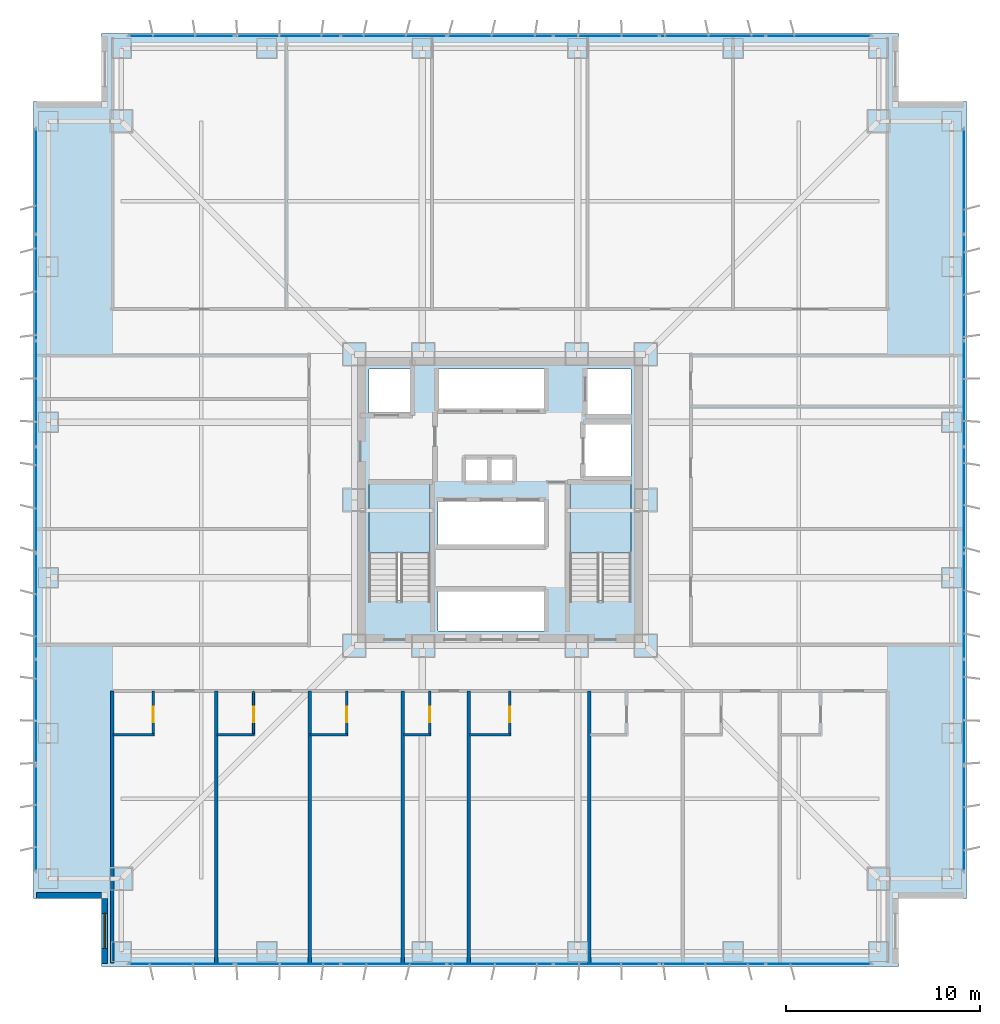
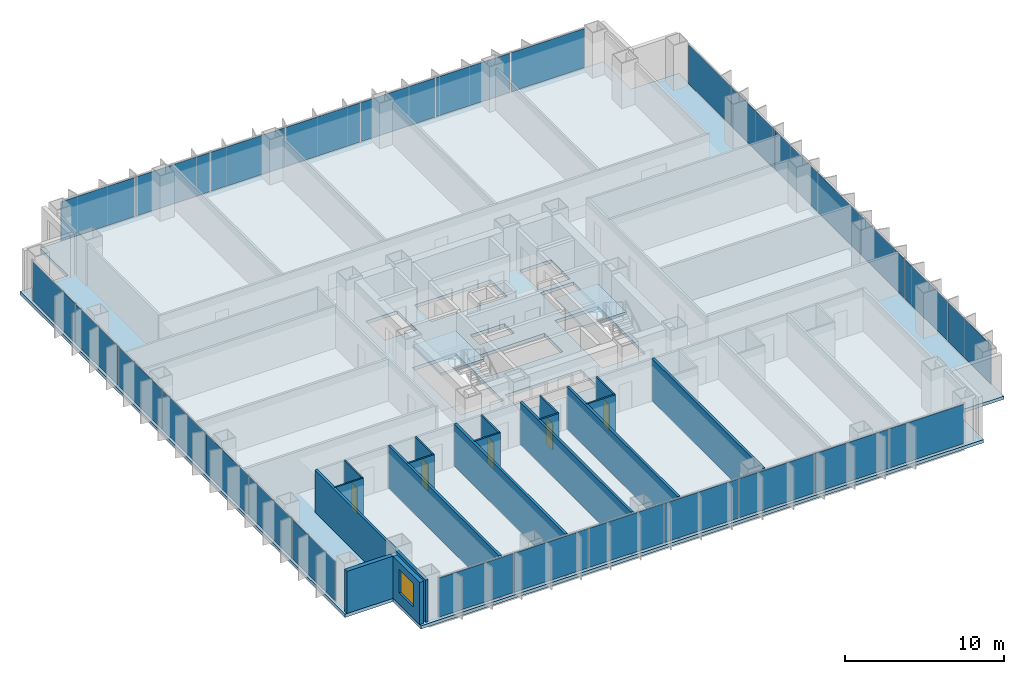
# One storey, part 13 of 19: 28 plates, 18 walls, 5 doors, 3 slabs, 1 window, 6 openings, 6 elements without a shape of their own.
"""IFC4 building model written with IfcOpenShell, lengths in metres."""

from ifc_helpers import new_model, si_unit, direction, frame, frame_2d, origin, origin_2d, place, context, subcontext, project, spatial, polyline, rectangle, outline, extrude, material, layer, layer_set, type_object, element, fill, aggregate, save


model = new_model("IFC4")

# Units and contexts
model_context = context("Model", 3, precision=1e-05, world=origin(), true_north=direction((0.0, 1.0)))
body_context = subcontext(model_context, "Body", "Model", "MODEL_VIEW")
ifc_project = project(units=[si_unit("LENGTHUNIT", "METRE"), si_unit("AREAUNIT", "SQUARE_METRE"), si_unit("VOLUMEUNIT", "CUBIC_METRE"), si_unit("PLANEANGLEUNIT", "RADIAN"), si_unit("MASSUNIT", "GRAM", prefix="KILO")], contexts=[model_context])

# Site, building, storey
site_placement = place(None, origin())
site = spatial("IfcSite", under=ifc_project, at=site_placement, CompositionType="ELEMENT")
building_placement = place(site_placement, origin())
building = spatial("IfcBuilding", under=site, at=building_placement, Name="Trevonay Congress Spire", CompositionType="ELEMENT")
storey_placement = place(building_placement, frame((0.0, 0.0, 58.5)))
storey = spatial("IfcBuildingStorey", under=building, at=storey_placement, Name="L14", CompositionType="ELEMENT", Elevation=58.5)

# Curtain wall, plates
ifc_material_1 = material(Name="Pale Anodised Aluminium EN AW-6063-T6", Category="aluminium")
ifc_layer_1 = layer(ifc_material_1, 0.179931640625, Name="Pale Anodised Aluminium EN AW-6063-T6")
ifc_layer_set_1 = layer_set([ifc_layer_1], Name="Pale Anodised Aluminium EN AW-6063-T6")
curtain_wall_type = type_object("IfcCurtainWallType", Name="CW-SYS02-HOTEL-PALE-METAL", PredefinedType="NOTDEFINED", material=ifc_layer_set_1)
curtain_wall_1_placement = place(storey_placement, origin())
curtain_wall_1 = element("IfcCurtainWall", 1, at=curtain_wall_1_placement, inside=storey, type_object=curtain_wall_type, Name="L14 S unitised curtain wall", PredefinedType="NOTDEFINED")
ifc_material_2 = material(Name="Insulated Low-E Vision Glass IGU", Category="glass")
ifc_layer_2 = layer(ifc_material_2, 0.035888671875, Name="Insulated Low-E Vision Glass IGU")
ifc_layer_set_2 = layer_set([ifc_layer_2], Name="Insulated Low-E Vision Glass IGU")
plate_type = type_object("IfcPlateType", Name="CW-PANEL-IGU36-SILVER", PredefinedType="CURTAIN_PANEL", material=ifc_layer_set_2)
plate_1_placement = place(storey_placement, frame((-16.399169921875, -23.8798828125, 0.1201171875), z_axis=(0.0, 0.0, 1.0), x_axis=(1.0, 0.0, 0.0)))
plate_1 = element("IfcPlate", 2, at=plate_1_placement, type_object=plate_type, Name="CW02 panel 1.1", PredefinedType="CURTAIN_PANEL", context=body_context, shape_type="SweptSolid", body=[
    extrude(rectangle(XDim=5.38134765625, YDim=0.035888671875, at=origin_2d()), origin(), (0.0, 0.0, 1.0), 3.010009765625),
])
plate_2_placement = place(storey_placement, frame((-10.94287109375, -23.8798828125, 0.1201171875), z_axis=(0.0, 0.0, 1.0), x_axis=(1.0, 0.0, 0.0)))
plate_2 = element("IfcPlate", 3, at=plate_2_placement, type_object=plate_type, Name="CW02 panel 2.1", PredefinedType="CURTAIN_PANEL", context=body_context, shape_type="SweptSolid", body=[
    extrude(rectangle(XDim=5.411376953125, YDim=0.035888671875, at=origin_2d()), origin(), (0.0, 0.0, 1.0), 3.010009765625),
])
plate_3_placement = place(storey_placement, frame((-5.471435546875, -23.8798828125, 0.1201171875), z_axis=(0.0, 0.0, 1.0), x_axis=(1.0, 0.0, 0.0)))
plate_3 = element("IfcPlate", 4, at=plate_3_placement, type_object=plate_type, Name="CW02 panel 3.1", PredefinedType="CURTAIN_PANEL", context=body_context, shape_type="SweptSolid", body=[
    extrude(rectangle(XDim=5.411376953125, YDim=0.035888671875, at=origin_2d()), origin(), (0.0, 0.0, 1.0), 3.010009765625),
])
plate_4_placement = place(storey_placement, frame((0.0, -23.8798828125, 0.1201171875), z_axis=(0.0, 0.0, 1.0), x_axis=(1.0, 0.0, 0.0)))
plate_4 = element("IfcPlate", 5, at=plate_4_placement, type_object=plate_type, Name="CW02 panel 4.1", PredefinedType="CURTAIN_PANEL", context=body_context, shape_type="SweptSolid", body=[
    extrude(rectangle(XDim=5.411376953125, YDim=0.035888671875, at=origin_2d()), origin(), (0.0, 0.0, 1.0), 3.010009765625),
])
plate_5_placement = place(storey_placement, frame((5.471435546875, -23.8798828125, 0.1201171875), z_axis=(0.0, 0.0, 1.0), x_axis=(1.0, 0.0, 0.0)))
plate_5 = element("IfcPlate", 6, at=plate_5_placement, type_object=plate_type, Name="CW02 panel 5.1", PredefinedType="CURTAIN_PANEL", context=body_context, shape_type="SweptSolid", body=[
    extrude(rectangle(XDim=5.411376953125, YDim=0.035888671875, at=origin_2d()), origin(), (0.0, 0.0, 1.0), 3.010009765625),
])
plate_6_placement = place(storey_placement, frame((10.94287109375, -23.8798828125, 0.1201171875), z_axis=(0.0, 0.0, 1.0), x_axis=(1.0, 0.0, 0.0)))
plate_6 = element("IfcPlate", 7, at=plate_6_placement, type_object=plate_type, Name="CW02 panel 6.1", PredefinedType="CURTAIN_PANEL", context=body_context, shape_type="SweptSolid", body=[
    extrude(rectangle(XDim=5.411376953125, YDim=0.035888671875, at=origin_2d()), origin(), (0.0, 0.0, 1.0), 3.010009765625),
])
plate_7_placement = place(storey_placement, frame((16.399169921875, -23.8798828125, 0.1201171875), z_axis=(0.0, 0.0, 1.0), x_axis=(1.0, 0.0, 0.0)))
plate_7 = element("IfcPlate", 8, at=plate_7_placement, type_object=plate_type, Name="CW02 panel 7.1", PredefinedType="CURTAIN_PANEL", context=body_context, shape_type="SweptSolid", body=[
    extrude(rectangle(XDim=5.38134765625, YDim=0.035888671875, at=origin_2d()), origin(), (0.0, 0.0, 1.0), 3.010009765625),
])
aggregate(curtain_wall_1, [plate_1, plate_2, plate_3, plate_4, plate_5, plate_6, plate_7])

curtain_wall_2_placement = place(storey_placement, origin())
curtain_wall_2 = element("IfcCurtainWall", 9, at=curtain_wall_2_placement, inside=storey, type_object=curtain_wall_type, Name="L14 N unitised curtain wall", PredefinedType="NOTDEFINED")
plate_8_placement = place(storey_placement, frame((-16.399169921875, 23.8798828125, 0.1201171875), z_axis=(0.0, 0.0, 1.0), x_axis=(1.0, 0.0, 0.0)))
plate_8 = element("IfcPlate", 10, at=plate_8_placement, type_object=plate_type, Name="CW02 panel 1.1", PredefinedType="CURTAIN_PANEL", context=body_context, shape_type="SweptSolid", body=[
    extrude(rectangle(XDim=5.38134765625, YDim=0.035888671875, at=origin_2d()), origin(), (0.0, 0.0, 1.0), 3.010009765625),
])
plate_9_placement = place(storey_placement, frame((-10.94287109375, 23.8798828125, 0.1201171875), z_axis=(0.0, 0.0, 1.0), x_axis=(1.0, 0.0, 0.0)))
plate_9 = element("IfcPlate", 11, at=plate_9_placement, type_object=plate_type, Name="CW02 panel 2.1", PredefinedType="CURTAIN_PANEL", context=body_context, shape_type="SweptSolid", body=[
    extrude(rectangle(XDim=5.411376953125, YDim=0.035888671875, at=origin_2d()), origin(), (0.0, 0.0, 1.0), 3.010009765625),
])
plate_10_placement = place(storey_placement, frame((-5.471435546875, 23.8798828125, 0.1201171875), z_axis=(0.0, 0.0, 1.0), x_axis=(1.0, 0.0, 0.0)))
plate_10 = element("IfcPlate", 12, at=plate_10_placement, type_object=plate_type, Name="CW02 panel 3.1", PredefinedType="CURTAIN_PANEL", context=body_context, shape_type="SweptSolid", body=[
    extrude(rectangle(XDim=5.411376953125, YDim=0.035888671875, at=origin_2d()), origin(), (0.0, 0.0, 1.0), 3.010009765625),
])
plate_11_placement = place(storey_placement, frame((0.0, 23.8798828125, 0.1201171875), z_axis=(0.0, 0.0, 1.0), x_axis=(1.0, 0.0, 0.0)))
plate_11 = element("IfcPlate", 13, at=plate_11_placement, type_object=plate_type, Name="CW02 panel 4.1", PredefinedType="CURTAIN_PANEL", context=body_context, shape_type="SweptSolid", body=[
    extrude(rectangle(XDim=5.411376953125, YDim=0.035888671875, at=origin_2d()), origin(), (0.0, 0.0, 1.0), 3.010009765625),
])
plate_12_placement = place(storey_placement, frame((5.471435546875, 23.8798828125, 0.1201171875), z_axis=(0.0, 0.0, 1.0), x_axis=(1.0, 0.0, 0.0)))
plate_12 = element("IfcPlate", 14, at=plate_12_placement, type_object=plate_type, Name="CW02 panel 5.1", PredefinedType="CURTAIN_PANEL", context=body_context, shape_type="SweptSolid", body=[
    extrude(rectangle(XDim=5.411376953125, YDim=0.035888671875, at=origin_2d()), origin(), (0.0, 0.0, 1.0), 3.010009765625),
])
plate_13_placement = place(storey_placement, frame((10.94287109375, 23.8798828125, 0.1201171875), z_axis=(0.0, 0.0, 1.0), x_axis=(1.0, 0.0, 0.0)))
plate_13 = element("IfcPlate", 15, at=plate_13_placement, type_object=plate_type, Name="CW02 panel 6.1", PredefinedType="CURTAIN_PANEL", context=body_context, shape_type="SweptSolid", body=[
    extrude(rectangle(XDim=5.411376953125, YDim=0.035888671875, at=origin_2d()), origin(), (0.0, 0.0, 1.0), 3.010009765625),
])
plate_14_placement = place(storey_placement, frame((16.399169921875, 23.8798828125, 0.1201171875), z_axis=(0.0, 0.0, 1.0), x_axis=(1.0, 0.0, 0.0)))
plate_14 = element("IfcPlate", 16, at=plate_14_placement, type_object=plate_type, Name="CW02 panel 7.1", PredefinedType="CURTAIN_PANEL", context=body_context, shape_type="SweptSolid", body=[
    extrude(rectangle(XDim=5.38134765625, YDim=0.035888671875, at=origin_2d()), origin(), (0.0, 0.0, 1.0), 3.010009765625),
])
aggregate(curtain_wall_2, [plate_8, plate_9, plate_10, plate_11, plate_12, plate_13, plate_14])

curtain_wall_3_placement = place(storey_placement, origin())
curtain_wall_3 = element("IfcCurtainWall", 17, at=curtain_wall_3_placement, inside=storey, type_object=curtain_wall_type, Name="L14 W unitised curtain wall", PredefinedType="NOTDEFINED")
plate_15_placement = place(storey_placement, frame((-23.8798828125, -16.399169921875, 0.1201171875), z_axis=(0.0, 0.0, 1.0), x_axis=(0.0, 1.0, 0.0)))
plate_15 = element("IfcPlate", 18, at=plate_15_placement, type_object=plate_type, Name="CW02 panel 1.1", PredefinedType="CURTAIN_PANEL", context=body_context, shape_type="SweptSolid", body=[
    extrude(rectangle(XDim=5.38134765625, YDim=0.035888671875, at=origin_2d()), origin(), (0.0, 0.0, 1.0), 3.010009765625),
])
plate_16_placement = place(storey_placement, frame((-23.8798828125, -10.94287109375, 0.1201171875), z_axis=(0.0, 0.0, 1.0), x_axis=(0.0, 1.0, 0.0)))
plate_16 = element("IfcPlate", 19, at=plate_16_placement, type_object=plate_type, Name="CW02 panel 2.1", PredefinedType="CURTAIN_PANEL", context=body_context, shape_type="SweptSolid", body=[
    extrude(rectangle(XDim=5.411376953125, YDim=0.035888671875, at=origin_2d()), origin(), (0.0, 0.0, 1.0), 3.010009765625),
])
plate_17_placement = place(storey_placement, frame((-23.8798828125, -5.471435546875, 0.1201171875), z_axis=(0.0, 0.0, 1.0), x_axis=(0.0, 1.0, 0.0)))
plate_17 = element("IfcPlate", 20, at=plate_17_placement, type_object=plate_type, Name="CW02 panel 3.1", PredefinedType="CURTAIN_PANEL", context=body_context, shape_type="SweptSolid", body=[
    extrude(rectangle(XDim=5.411376953125, YDim=0.035888671875, at=origin_2d()), origin(), (0.0, 0.0, 1.0), 3.010009765625),
])
plate_18_placement = place(storey_placement, frame((-23.8798828125, 0.0, 0.1201171875), z_axis=(0.0, 0.0, 1.0), x_axis=(0.0, 1.0, 0.0)))
plate_18 = element("IfcPlate", 21, at=plate_18_placement, type_object=plate_type, Name="CW02 panel 4.1", PredefinedType="CURTAIN_PANEL", context=body_context, shape_type="SweptSolid", body=[
    extrude(rectangle(XDim=5.411376953125, YDim=0.035888671875, at=origin_2d()), origin(), (0.0, 0.0, 1.0), 3.010009765625),
])
plate_19_placement = place(storey_placement, frame((-23.8798828125, 5.471435546875, 0.1201171875), z_axis=(0.0, 0.0, 1.0), x_axis=(0.0, 1.0, 0.0)))
plate_19 = element("IfcPlate", 22, at=plate_19_placement, type_object=plate_type, Name="CW02 panel 5.1", PredefinedType="CURTAIN_PANEL", context=body_context, shape_type="SweptSolid", body=[
    extrude(rectangle(XDim=5.411376953125, YDim=0.035888671875, at=origin_2d()), origin(), (0.0, 0.0, 1.0), 3.010009765625),
])
plate_20_placement = place(storey_placement, frame((-23.8798828125, 10.94287109375, 0.1201171875), z_axis=(0.0, 0.0, 1.0), x_axis=(0.0, 1.0, 0.0)))
plate_20 = element("IfcPlate", 23, at=plate_20_placement, type_object=plate_type, Name="CW02 panel 6.1", PredefinedType="CURTAIN_PANEL", context=body_context, shape_type="SweptSolid", body=[
    extrude(rectangle(XDim=5.411376953125, YDim=0.035888671875, at=origin_2d()), origin(), (0.0, 0.0, 1.0), 3.010009765625),
])
plate_21_placement = place(storey_placement, frame((-23.8798828125, 16.399169921875, 0.1201171875), z_axis=(0.0, 0.0, 1.0), x_axis=(0.0, 1.0, 0.0)))
plate_21 = element("IfcPlate", 24, at=plate_21_placement, type_object=plate_type, Name="CW02 panel 7.1", PredefinedType="CURTAIN_PANEL", context=body_context, shape_type="SweptSolid", body=[
    extrude(rectangle(XDim=5.38134765625, YDim=0.035888671875, at=origin_2d()), origin(), (0.0, 0.0, 1.0), 3.010009765625),
])
aggregate(curtain_wall_3, [plate_15, plate_16, plate_17, plate_18, plate_19, plate_20, plate_21])

curtain_wall_4_placement = place(storey_placement, origin())
curtain_wall_4 = element("IfcCurtainWall", 25, at=curtain_wall_4_placement, inside=storey, type_object=curtain_wall_type, Name="L14 E unitised curtain wall", PredefinedType="NOTDEFINED")
plate_22_placement = place(storey_placement, frame((23.8798828125, -16.399169921875, 0.1201171875), z_axis=(0.0, 0.0, 1.0), x_axis=(0.0, 1.0, 0.0)))
plate_22 = element("IfcPlate", 26, at=plate_22_placement, type_object=plate_type, Name="CW02 panel 1.1", PredefinedType="CURTAIN_PANEL", context=body_context, shape_type="SweptSolid", body=[
    extrude(rectangle(XDim=5.38134765625, YDim=0.035888671875, at=origin_2d()), origin(), (0.0, 0.0, 1.0), 3.010009765625),
])
plate_23_placement = place(storey_placement, frame((23.8798828125, -10.94287109375, 0.1201171875), z_axis=(0.0, 0.0, 1.0), x_axis=(0.0, 1.0, 0.0)))
plate_23 = element("IfcPlate", 27, at=plate_23_placement, type_object=plate_type, Name="CW02 panel 2.1", PredefinedType="CURTAIN_PANEL", context=body_context, shape_type="SweptSolid", body=[
    extrude(rectangle(XDim=5.411376953125, YDim=0.035888671875, at=origin_2d()), origin(), (0.0, 0.0, 1.0), 3.010009765625),
])
plate_24_placement = place(storey_placement, frame((23.8798828125, -5.471435546875, 0.1201171875), z_axis=(0.0, 0.0, 1.0), x_axis=(0.0, 1.0, 0.0)))
plate_24 = element("IfcPlate", 28, at=plate_24_placement, type_object=plate_type, Name="CW02 panel 3.1", PredefinedType="CURTAIN_PANEL", context=body_context, shape_type="SweptSolid", body=[
    extrude(rectangle(XDim=5.411376953125, YDim=0.035888671875, at=origin_2d()), origin(), (0.0, 0.0, 1.0), 3.010009765625),
])
plate_25_placement = place(storey_placement, frame((23.8798828125, 0.0, 0.1201171875), z_axis=(0.0, 0.0, 1.0), x_axis=(0.0, 1.0, 0.0)))
plate_25 = element("IfcPlate", 29, at=plate_25_placement, type_object=plate_type, Name="CW02 panel 4.1", PredefinedType="CURTAIN_PANEL", context=body_context, shape_type="SweptSolid", body=[
    extrude(rectangle(XDim=5.411376953125, YDim=0.035888671875, at=origin_2d()), origin(), (0.0, 0.0, 1.0), 3.010009765625),
])
plate_26_placement = place(storey_placement, frame((23.8798828125, 5.471435546875, 0.1201171875), z_axis=(0.0, 0.0, 1.0), x_axis=(0.0, 1.0, 0.0)))
plate_26 = element("IfcPlate", 30, at=plate_26_placement, type_object=plate_type, Name="CW02 panel 5.1", PredefinedType="CURTAIN_PANEL", context=body_context, shape_type="SweptSolid", body=[
    extrude(rectangle(XDim=5.411376953125, YDim=0.035888671875, at=origin_2d()), origin(), (0.0, 0.0, 1.0), 3.010009765625),
])
plate_27_placement = place(storey_placement, frame((23.8798828125, 10.94287109375, 0.1201171875), z_axis=(0.0, 0.0, 1.0), x_axis=(0.0, 1.0, 0.0)))
plate_27 = element("IfcPlate", 31, at=plate_27_placement, type_object=plate_type, Name="CW02 panel 6.1", PredefinedType="CURTAIN_PANEL", context=body_context, shape_type="SweptSolid", body=[
    extrude(rectangle(XDim=5.411376953125, YDim=0.035888671875, at=origin_2d()), origin(), (0.0, 0.0, 1.0), 3.010009765625),
])
plate_28_placement = place(storey_placement, frame((23.8798828125, 16.399169921875, 0.1201171875), z_axis=(0.0, 0.0, 1.0), x_axis=(0.0, 1.0, 0.0)))
plate_28 = element("IfcPlate", 32, at=plate_28_placement, type_object=plate_type, Name="CW02 panel 7.1", PredefinedType="CURTAIN_PANEL", context=body_context, shape_type="SweptSolid", body=[
    extrude(rectangle(XDim=5.38134765625, YDim=0.035888671875, at=origin_2d()), origin(), (0.0, 0.0, 1.0), 3.010009765625),
])
aggregate(curtain_wall_4, [plate_22, plate_23, plate_24, plate_25, plate_26, plate_27, plate_28])

# Stair, slab
ifc_material_3 = material(Name="Concrete C40/50", Category="concrete")
stair_type_1 = type_object("IfcStairType", Name="STR-ST-1", PredefinedType="HALF_TURN_STAIR", material=ifc_material_3)
stair_1_placement = place(storey_placement, origin())
stair_1 = element("IfcStair", 33, at=stair_1_placement, inside=storey, type_object=stair_type_1, Name="L14 Protected Exit Stair ST-1", PredefinedType="HALF_TURN_STAIR")
ifc_layer_3 = layer(ifc_material_3, 0.199951171875, Name="Concrete C40/50")
ifc_layer_set_3 = layer_set([ifc_layer_3], Name="Concrete C40/50")
slab_type_1 = type_object("IfcSlabType", Name="SLB-STAIR-LAND-200", PredefinedType="LANDING", material=ifc_layer_set_3)
slab_1_placement = place(storey_placement, frame((0.0, 0.0, 1.550048828125)))
slab_1 = element("IfcSlab", 34, at=slab_1_placement, type_object=slab_type_1, Name="ST-1 landing 1", PredefinedType="LANDING", context=body_context, shape_type="SweptSolid", body=[
    extrude(outline(polyline([(-3.60009765625, -2.72998046875), (-3.60009765625, 0.85009765625), (-6.75, 0.85009765625), (-6.75, -2.72998046875), (-3.60009765625, -2.72998046875)])), origin(), (0.0, 0.0, 1.0), 0.199951171875),
])
aggregate(stair_1, [slab_1])

stair_type_2 = type_object("IfcStairType", Name="STR-ST-2", PredefinedType="HALF_TURN_STAIR", material=ifc_material_3)
stair_2_placement = place(storey_placement, origin())
stair_2 = element("IfcStair", 35, at=stair_2_placement, inside=storey, type_object=stair_type_2, Name="L14 Protected Exit Stair ST-2", PredefinedType="HALF_TURN_STAIR")
slab_2_placement = place(storey_placement, frame((0.0, 0.0, 1.550048828125)))
slab_2 = element("IfcSlab", 36, at=slab_2_placement, type_object=slab_type_1, Name="ST-2 landing 1", PredefinedType="LANDING", context=body_context, shape_type="SweptSolid", body=[
    extrude(outline(polyline([(6.75, -2.72998046875), (6.75, 0.85009765625), (3.60009765625, 0.85009765625), (3.60009765625, -2.72998046875), (6.75, -2.72998046875)])), origin(), (0.0, 0.0, 1.0), 0.199951171875),
])
aggregate(stair_2, [slab_2])

# Slab
ifc_layer_4 = layer(ifc_material_3, 0.25, Name="Concrete C40/50")
ifc_layer_set_4 = layer_set([ifc_layer_4], Name="Concrete C40/50")
slab_type_2 = type_object("IfcSlabType", Name="SLB-TOW1-250", PredefinedType="FLOOR", material=ifc_layer_set_4)
slab_3_placement = place(storey_placement, frame((0.0, 0.0, -0.25)))
element("IfcSlab", 37, at=slab_3_placement, inside=storey, type_object=slab_type_2, Name="L14 structural floor slab", PredefinedType="FLOOR", context=body_context, shape_type="SweptSolid", body=[
    extrude(outline(polyline([(-20.5, -24.0), (20.5, -24.0), (20.5, -20.5), (24.0, -20.5), (24.0, 20.5), (20.5, 20.5), (20.5, 24.0), (-20.5, 24.0), (-20.5, 20.5), (-24.0, 20.5), (-24.0, -20.5), (-20.5, -20.5), (-20.5, -24.0)]), holes=[polyline([(-3.60009765625, -5.14990234375), (-3.60009765625, 0.85009765625), (-6.75, 0.85009765625), (-6.75, -5.14990234375), (-3.60009765625, -5.14990234375)]), polyline([(6.75, -5.14990234375), (6.75, 0.85009765625), (3.60009765625, 0.85009765625), (3.60009765625, -5.14990234375), (6.75, -5.14990234375)]), polyline([(-3.199951171875, -6.75), (2.340087890625, -6.75), (2.340087890625, -4.64990234375), (-3.199951171875, -4.64990234375), (-3.199951171875, -6.75)]), polyline([(-3.199951171875, -2.35009765625), (2.340087890625, -2.35009765625), (2.340087890625, -0.050048828125), (-3.199951171875, -0.050048828125), (-3.199951171875, -2.35009765625)]), polyline([(-3.199951171875, 4.64990234375), (2.340087890625, 4.64990234375), (2.340087890625, 6.75), (-3.199951171875, 6.75), (-3.199951171875, 4.64990234375)]), polyline([(-6.75, 4.35009765625), (-4.449951171875, 4.35009765625), (-4.449951171875, 6.75), (-6.75, 6.75), (-6.75, 4.35009765625)]), polyline([(4.449951171875, 4.35009765625), (6.75, 4.35009765625), (6.75, 6.75), (4.449951171875, 6.75), (4.449951171875, 4.35009765625)]), polyline([(4.35009765625, 1.199951171875), (6.75, 1.199951171875), (6.75, 3.949951171875), (4.35009765625, 3.949951171875), (4.35009765625, 1.199951171875)]), polyline([(-1.800048828125, 0.949951171875), (0.699951171875, 0.949951171875), (0.699951171875, 2.14990234375), (-1.800048828125, 2.14990234375), (-1.800048828125, 0.949951171875)])]), origin(), (0.0, 0.0, 1.0), 0.25),
])

# Wall, opening, door
ifc_layer_5 = layer(ifc_material_3, 0.1201171875, Name="Concrete C40/50")
ifc_layer_set_5 = layer_set([ifc_layer_5], Name="Concrete C40/50")
wall_type_1 = type_object("IfcWallType", Name="WAL-BATH-120", PredefinedType="PLUMBINGWALL", material=ifc_layer_set_5)
wall_1_placement = place(storey_placement, frame((-17.85009765625, -12.080078125, 0.0), z_axis=(0.0, 0.0, 1.0), x_axis=(0.0, 1.0, 0.0)))
wall_1 = element("IfcWall", 38, at=wall_1_placement, inside=storey, type_object=wall_type_1, Name="L14 interior wall WH-L14S-BS1", PredefinedType="PLUMBINGWALL", context=body_context, shape_type="SweptSolid", body=[
    extrude(rectangle(XDim=2.25, YDim=0.1201171875, at=frame_2d((1.125, 0.0))), origin(), (0.0, 0.0, 1.0), 3.25),
])
opening_1_placement = place(wall_1_placement, frame((0.64990234375, 0.0, 0.0)))
opening_1 = element("IfcOpeningElement", 39, at=opening_1_placement, cuts=wall_1, Name="Opening D11", PredefinedType="OPENING", context=body_context, shape_type="SweptSolid", body=[
    extrude(rectangle(XDim=0.800048828125, YDim=2.050048828125, at=frame_2d((0.39990234375, 1.02490234375))), frame((0.0, 0.070068359375, 0.0), z_axis=(0.0, -1.0, 0.0), x_axis=(1.0, 0.0, 0.0)), (0.0, 0.0, 1.0), 0.14013671875),
])
door_type = type_object("IfcDoorType", Name="DOR-BATH-80", OperationType="NOTDEFINED", PredefinedType="DOOR", material=ifc_material_1)
door_1_placement = place(opening_1_placement, origin())
door_1 = element("IfcDoor", 40, at=door_1_placement, inside=storey, type_object=door_type, Name="L14 En-suite Bathroom Door", OperationType="SINGLE_SWING_LEFT", OverallHeight=2.050048828125, OverallWidth=0.800048828125, PredefinedType="DOOR", context=body_context, shape_type="SweptSolid", body=[
    extrude(rectangle(XDim=0.800048828125, YDim=2.050048828125, at=frame_2d((0.39990234375, 1.02490234375))), frame((0.0, 0.02490234375, 0.0), z_axis=(0.0, -1.0, 0.0), x_axis=(1.0, 0.0, 0.0)), (0.0, 0.0, 1.0), 0.050048828125),
])
fill(opening_1, door_1)

# Wall
wall_2_placement = place(storey_placement, frame((-19.919921875, -12.080078125, 0.0), z_axis=(0.0, 0.0, 1.0), x_axis=(1.0, 0.0, 0.0)))
element("IfcWall", 41, at=wall_2_placement, inside=storey, type_object=wall_type_1, Name="L14 interior wall WH-L14S-BF1", PredefinedType="PLUMBINGWALL", context=body_context, shape_type="SweptSolid", body=[
    extrude(rectangle(XDim=2.099853515625, YDim=0.1201171875, at=frame_2d((1.0498046875, 0.0))), origin(), (0.0, 0.0, 1.0), 3.25),
])

# Wall, opening, door
wall_3_placement = place(storey_placement, frame((-12.68701171875, -12.080078125, 0.0), z_axis=(0.0, 0.0, 1.0), x_axis=(0.0, 1.0, 0.0)))
wall_3 = element("IfcWall", 42, at=wall_3_placement, inside=storey, type_object=wall_type_1, Name="L14 interior wall WH-L14S-BS2", PredefinedType="PLUMBINGWALL", context=body_context, shape_type="SweptSolid", body=[
    extrude(rectangle(XDim=2.25, YDim=0.1201171875, at=frame_2d((1.125, 0.0))), origin(), (0.0, 0.0, 1.0), 3.25),
])
opening_2_placement = place(wall_3_placement, frame((0.64990234375, 0.0, 0.0)))
opening_2 = element("IfcOpeningElement", 43, at=opening_2_placement, cuts=wall_3, Name="Opening D11", PredefinedType="OPENING", context=body_context, shape_type="SweptSolid", body=[
    extrude(rectangle(XDim=0.800048828125, YDim=2.050048828125, at=frame_2d((0.39990234375, 1.02490234375))), frame((0.0, 0.070068359375, 0.0), z_axis=(0.0, -1.0, 0.0), x_axis=(1.0, 0.0, 0.0)), (0.0, 0.0, 1.0), 0.14013671875),
])
door_2_placement = place(opening_2_placement, origin())
door_2 = element("IfcDoor", 44, at=door_2_placement, inside=storey, type_object=door_type, Name="L14 En-suite Bathroom Door", OperationType="SINGLE_SWING_RIGHT", OverallHeight=2.050048828125, OverallWidth=0.800048828125, PredefinedType="DOOR", context=body_context, shape_type="SweptSolid", body=[
    extrude(rectangle(XDim=0.800048828125, YDim=2.050048828125, at=frame_2d((0.39990234375, 1.02490234375))), frame((0.0, 0.02490234375, 0.0), z_axis=(0.0, -1.0, 0.0), x_axis=(1.0, 0.0, 0.0)), (0.0, 0.0, 1.0), 0.050048828125),
])
fill(opening_2, door_2)

# Wall
wall_4_placement = place(storey_placement, frame((-14.570068359375, -12.080078125, 0.0), z_axis=(0.0, 0.0, 1.0), x_axis=(1.0, 0.0, 0.0)))
element("IfcWall", 45, at=wall_4_placement, inside=storey, type_object=wall_type_1, Name="L14 interior wall WH-L14S-BF2", PredefinedType="PLUMBINGWALL", context=body_context, shape_type="SweptSolid", body=[
    extrude(rectangle(XDim=1.9130859375, YDim=0.1201171875, at=frame_2d((0.95654296875, 0.0))), origin(), (0.0, 0.0, 1.0), 3.25),
])

# Wall, opening, door
wall_5_placement = place(storey_placement, frame((-7.886962890625, -12.080078125, 0.0), z_axis=(0.0, 0.0, 1.0), x_axis=(0.0, 1.0, 0.0)))
wall_5 = element("IfcWall", 46, at=wall_5_placement, inside=storey, type_object=wall_type_1, Name="L14 interior wall WH-L14S-BS3", PredefinedType="PLUMBINGWALL", context=body_context, shape_type="SweptSolid", body=[
    extrude(rectangle(XDim=2.25, YDim=0.1201171875, at=frame_2d((1.125, 0.0))), origin(), (0.0, 0.0, 1.0), 3.25),
])
opening_3_placement = place(wall_5_placement, frame((0.64990234375, 0.0, 0.0)))
opening_3 = element("IfcOpeningElement", 47, at=opening_3_placement, cuts=wall_5, Name="Opening D11", PredefinedType="OPENING", context=body_context, shape_type="SweptSolid", body=[
    extrude(rectangle(XDim=0.800048828125, YDim=2.050048828125, at=frame_2d((0.39990234375, 1.02490234375))), frame((0.0, 0.070068359375, 0.0), z_axis=(0.0, -1.0, 0.0), x_axis=(1.0, 0.0, 0.0)), (0.0, 0.0, 1.0), 0.14013671875),
])
door_3_placement = place(opening_3_placement, origin())
door_3 = element("IfcDoor", 48, at=door_3_placement, inside=storey, type_object=door_type, Name="L14 En-suite Bathroom Door", OperationType="SINGLE_SWING_LEFT", OverallHeight=2.050048828125, OverallWidth=0.800048828125, PredefinedType="DOOR", context=body_context, shape_type="SweptSolid", body=[
    extrude(rectangle(XDim=0.800048828125, YDim=2.050048828125, at=frame_2d((0.39990234375, 1.02490234375))), frame((0.0, 0.02490234375, 0.0), z_axis=(0.0, -1.0, 0.0), x_axis=(1.0, 0.0, 0.0)), (0.0, 0.0, 1.0), 0.050048828125),
])
fill(opening_3, door_3)

# Wall
wall_6_placement = place(storey_placement, frame((-9.77001953125, -12.080078125, 0.0), z_axis=(0.0, 0.0, 1.0), x_axis=(1.0, 0.0, 0.0)))
element("IfcWall", 49, at=wall_6_placement, inside=storey, type_object=wall_type_1, Name="L14 interior wall WH-L14S-BF3", PredefinedType="PLUMBINGWALL", context=body_context, shape_type="SweptSolid", body=[
    extrude(rectangle(XDim=1.9130859375, YDim=0.1201171875, at=frame_2d((0.95654296875, 0.0))), origin(), (0.0, 0.0, 1.0), 3.25),
])

# Wall, opening, door
wall_7_placement = place(storey_placement, frame((-3.618896484375, -12.080078125, 0.0), z_axis=(0.0, 0.0, 1.0), x_axis=(0.0, 1.0, 0.0)))
wall_7 = element("IfcWall", 50, at=wall_7_placement, inside=storey, type_object=wall_type_1, Name="L14 interior wall WH-L14S-BS4", PredefinedType="PLUMBINGWALL", context=body_context, shape_type="SweptSolid", body=[
    extrude(rectangle(XDim=2.25, YDim=0.1201171875, at=frame_2d((1.125, 0.0))), origin(), (0.0, 0.0, 1.0), 3.25),
])
opening_4_placement = place(wall_7_placement, frame((0.64990234375, 0.0, 0.0)))
opening_4 = element("IfcOpeningElement", 51, at=opening_4_placement, cuts=wall_7, Name="Opening D11", PredefinedType="OPENING", context=body_context, shape_type="SweptSolid", body=[
    extrude(rectangle(XDim=0.800048828125, YDim=2.050048828125, at=frame_2d((0.39990234375, 1.02490234375))), frame((0.0, 0.070068359375, 0.0), z_axis=(0.0, -1.0, 0.0), x_axis=(1.0, 0.0, 0.0)), (0.0, 0.0, 1.0), 0.14013671875),
])
door_4_placement = place(opening_4_placement, origin())
door_4 = element("IfcDoor", 52, at=door_4_placement, inside=storey, type_object=door_type, Name="L14 En-suite Bathroom Door", OperationType="SINGLE_SWING_RIGHT", OverallHeight=2.050048828125, OverallWidth=0.800048828125, PredefinedType="DOOR", context=body_context, shape_type="SweptSolid", body=[
    extrude(rectangle(XDim=0.800048828125, YDim=2.050048828125, at=frame_2d((0.39990234375, 1.02490234375))), frame((0.0, 0.02490234375, 0.0), z_axis=(0.0, -1.0, 0.0), x_axis=(1.0, 0.0, 0.0)), (0.0, 0.0, 1.0), 0.050048828125),
])
fill(opening_4, door_4)

# Wall
wall_8_placement = place(storey_placement, frame((-4.969970703125, -12.080078125, 0.0), z_axis=(0.0, 0.0, 1.0), x_axis=(1.0, 0.0, 0.0)))
element("IfcWall", 53, at=wall_8_placement, inside=storey, type_object=wall_type_1, Name="L14 interior wall WH-L14S-BF4", PredefinedType="PLUMBINGWALL", context=body_context, shape_type="SweptSolid", body=[
    extrude(rectangle(XDim=1.380859375, YDim=0.1201171875, at=frame_2d((0.6904296875, 0.0))), origin(), (0.0, 0.0, 1.0), 3.25),
])

# Wall, opening, door
wall_9_placement = place(storey_placement, frame((0.5, -12.080078125, 0.0), z_axis=(0.0, 0.0, 1.0), x_axis=(0.0, 1.0, 0.0)))
wall_9 = element("IfcWall", 54, at=wall_9_placement, inside=storey, type_object=wall_type_1, Name="L14 interior wall WH-L14S-BS5", PredefinedType="PLUMBINGWALL", context=body_context, shape_type="SweptSolid", body=[
    extrude(rectangle(XDim=2.25, YDim=0.1201171875, at=frame_2d((1.125, 0.0))), origin(), (0.0, 0.0, 1.0), 3.25),
])
opening_5_placement = place(wall_9_placement, frame((0.64990234375, 0.0, 0.0)))
opening_5 = element("IfcOpeningElement", 55, at=opening_5_placement, cuts=wall_9, Name="Opening D11", PredefinedType="OPENING", context=body_context, shape_type="SweptSolid", body=[
    extrude(rectangle(XDim=0.800048828125, YDim=2.050048828125, at=frame_2d((0.39990234375, 1.02490234375))), frame((0.0, 0.070068359375, 0.0), z_axis=(0.0, -1.0, 0.0), x_axis=(1.0, 0.0, 0.0)), (0.0, 0.0, 1.0), 0.14013671875),
])
door_5_placement = place(opening_5_placement, origin())
door_5 = element("IfcDoor", 56, at=door_5_placement, inside=storey, type_object=door_type, Name="L14 En-suite Bathroom Door", OperationType="SINGLE_SWING_LEFT", OverallHeight=2.050048828125, OverallWidth=0.800048828125, PredefinedType="DOOR", context=body_context, shape_type="SweptSolid", body=[
    extrude(rectangle(XDim=0.800048828125, YDim=2.050048828125, at=frame_2d((0.39990234375, 1.02490234375))), frame((0.0, 0.02490234375, 0.0), z_axis=(0.0, -1.0, 0.0), x_axis=(1.0, 0.0, 0.0)), (0.0, 0.0, 1.0), 0.050048828125),
])
fill(opening_5, door_5)

# Wall
wall_10_placement = place(storey_placement, frame((-1.570068359375, -12.080078125, 0.0), z_axis=(0.0, 0.0, 1.0), x_axis=(1.0, 0.0, 0.0)))
element("IfcWall", 57, at=wall_10_placement, inside=storey, type_object=wall_type_1, Name="L14 interior wall WH-L14S-BF5", PredefinedType="PLUMBINGWALL", context=body_context, shape_type="SweptSolid", body=[
    extrude(rectangle(XDim=2.10009765625, YDim=0.1201171875, at=frame_2d((1.050048828125, 0.0))), origin(), (0.0, 0.0, 1.0), 3.25),
])

# Wall, opening, window
ifc_material_4 = material(Name="Precast concrete C40/50", Category="concrete")
ifc_layer_6 = layer(ifc_material_4, 0.300048828125, Name="Precast concrete C40/50")
ifc_layer_set_6 = layer_set([ifc_layer_6], Name="Precast concrete C40/50")
wall_type_2 = type_object("IfcWallType", Name="WAL-EXT-PRECAST-300", PredefinedType="SOLIDWALL", material=ifc_layer_set_6)
wall_11_placement = place(storey_placement, frame((-20.35009765625, -23.85009765625, 0.0), z_axis=(0.0, 0.0, 1.0), x_axis=(0.0, 1.0, 0.0)))
wall_11 = element("IfcWall", 58, at=wall_11_placement, inside=storey, type_object=wall_type_2, Name="L14 SW re-entrant notch exterior wall 1", PredefinedType="SOLIDWALL", context=body_context, shape_type="SweptSolid", body=[
    extrude(rectangle(XDim=3.35009765625, YDim=0.300048828125, at=frame_2d((1.675048828125, 0.0))), origin(), (0.0, 0.0, 1.0), 3.25),
])
opening_6_placement = place(wall_11_placement, frame((0.77490234375, 0.0, 0.89990234375)))
opening_6 = element("IfcOpeningElement", 59, at=opening_6_placement, cuts=wall_11, Name="Opening WN01", PredefinedType="OPENING", context=body_context, shape_type="SweptSolid", body=[
    extrude(rectangle(XDim=1.800048828125, YDim=1.800048828125, at=frame_2d((0.89990234375, 0.89990234375))), frame((0.0, 0.16015625, 0.0), z_axis=(0.0, -1.0, 0.0), x_axis=(1.0, 0.0, 0.0)), (0.0, 0.0, 1.0), 0.320068359375),
])
window_type = type_object("IfcWindowType", Name="WIN-HOTEL-180X180", PartitioningType="SINGLE_PANEL", PredefinedType="WINDOW", material=ifc_material_2)
window_placement = place(opening_6_placement, origin())
window = element("IfcWindow", 60, at=window_placement, inside=storey, type_object=window_type, Name="L14 SW corner notch window", OverallHeight=1.800048828125, OverallWidth=1.800048828125, PartitioningType="SINGLE_PANEL", PredefinedType="WINDOW", context=body_context, shape_type="SweptSolid", body=[
    extrude(rectangle(XDim=1.800048828125, YDim=1.800048828125, at=frame_2d((0.89990234375, 0.89990234375))), frame((0.0, 0.030029296875, 0.0), z_axis=(0.0, -1.0, 0.0), x_axis=(1.0, 0.0, 0.0)), (0.0, 0.0, 1.0), 0.06005859375),
])
fill(opening_6, window)

# Walls
wall_12_placement = place(storey_placement, frame((-23.85009765625, -20.35009765625, 0.0), z_axis=(0.0, 0.0, 1.0), x_axis=(1.0, 0.0, 0.0)))
element("IfcWall", 61, at=wall_12_placement, inside=storey, type_object=wall_type_2, Name="L14 SW re-entrant notch exterior wall 2", PredefinedType="SOLIDWALL", context=body_context, shape_type="SweptSolid", body=[
    extrude(rectangle(XDim=3.35009765625, YDim=0.300048828125, at=frame_2d((1.675048828125, 0.0))), origin(), (0.0, 0.0, 1.0), 3.25),
])
ifc_layer_7 = layer(ifc_material_3, 0.179931640625, Name="Concrete C40/50")
ifc_layer_set_7 = layer_set([ifc_layer_7], Name="Concrete C40/50")
wall_type_3 = type_object("IfcWallType", Name="WAL-HOTEL-180", PredefinedType="PARTITIONING", material=ifc_layer_set_7)
for number, where, z_axis, x_axis, name in (
    (62, (-19.949951171875, -23.820068359375, 0.0), (0.0, 0.0, 1.0), (0.0, 1.0, 0.0), "L14 interior wall WH-L14S-DIV1"),
    (63, (-14.60009765625, -23.820068359375, 0.0), (0.0, 0.0, 1.0), (0.0, 1.0, 0.0), "L14 interior wall WH-L14S-DIV2"),
    (64, (-9.800048828125, -23.820068359375, 0.0), (0.0, 0.0, 1.0), (0.0, 1.0, 0.0), "L14 interior wall WH-L14S-DIV3"),
    (65, (-5.0, -23.820068359375, 0.0), (0.0, 0.0, 1.0), (0.0, 1.0, 0.0), "L14 interior wall WH-L14S-DIV4"),
    (66, (-1.60009765625, -23.820068359375, 0.0), (0.0, 0.0, 1.0), (0.0, 1.0, 0.0), "L14 interior wall WH-L14S-DIV5"),
    (67, (4.60009765625, -23.820068359375, 0.0), (0.0, 0.0, 1.0), (0.0, 1.0, 0.0), "L14 interior wall WH-L14S-DIV6"),
):
    element("IfcWall", number, at=place(storey_placement, frame(where, z_axis=z_axis, x_axis=x_axis)), inside=storey, type_object=wall_type_3, Name=name, PredefinedType="PARTITIONING", context=body_context, shape_type="SweptSolid", body=[
        extrude(rectangle(XDim=13.989990234375, YDim=0.179931640625, at=frame_2d((6.9951171875, 0.0))), origin(), (0.0, 0.0, 1.0), 3.25),
    ])

save(model, "model.ifc")
